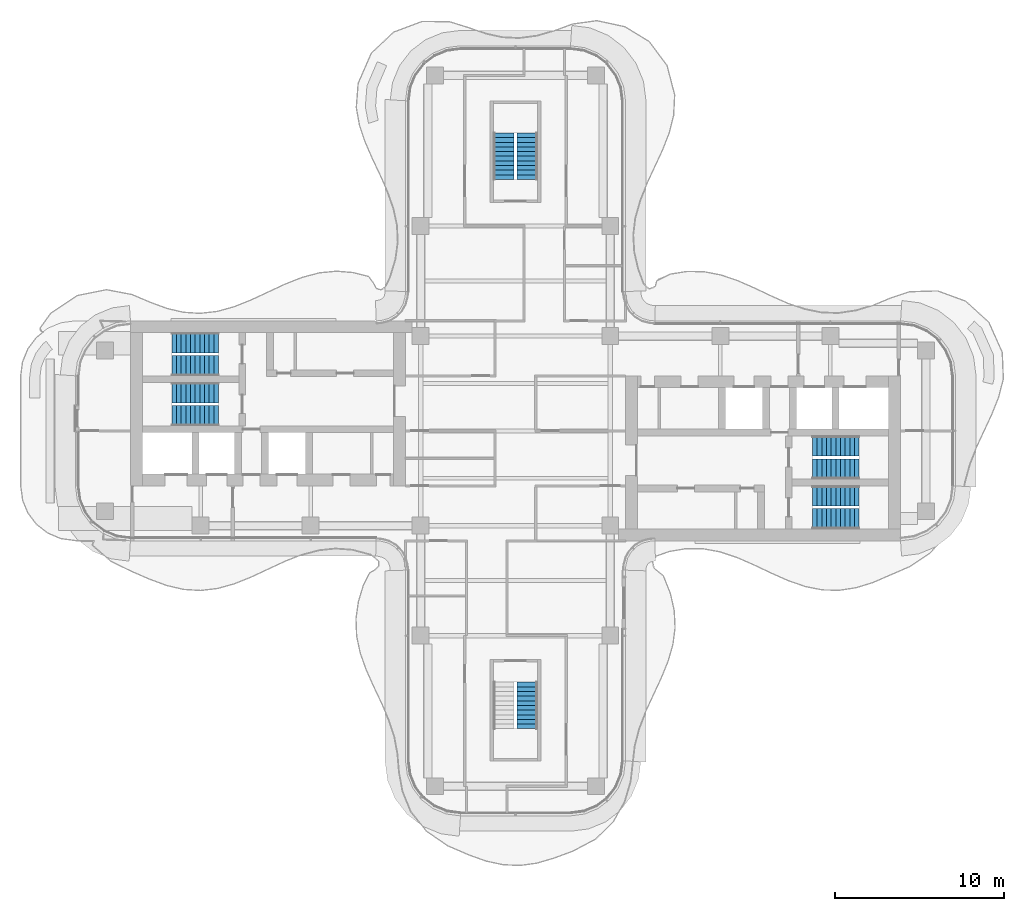
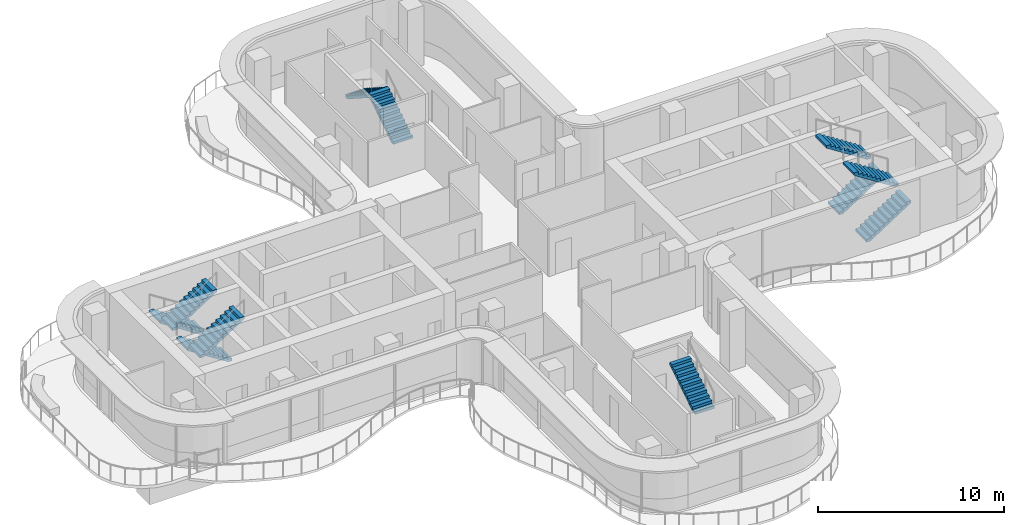
# One storey, part 15 of 17: 11 stair flights, 6 elements without a shape of their own.
"""IFC4 building model written with IfcOpenShell, lengths in metres."""

from ifc_helpers import new_model, si_unit, direction, frame, origin, place, context, subcontext, project, spatial, polyline, outline, extrude, source, transform, mapped, material, type_object, element, aggregate, save


model = new_model("IFC4")

# Units and contexts
model_context = context("Model", 3, precision=1e-05, world=origin(), true_north=direction((0.0, 1.0)))
body_context = subcontext(model_context, "Body", "Model", "MODEL_VIEW")
ifc_project = project(units=[si_unit("LENGTHUNIT", "METRE"), si_unit("AREAUNIT", "SQUARE_METRE"), si_unit("VOLUMEUNIT", "CUBIC_METRE"), si_unit("PLANEANGLEUNIT", "RADIAN"), si_unit("MASSUNIT", "GRAM", prefix="KILO")], contexts=[model_context])

# Site, building, storey
site_placement = place(None, origin())
site = spatial("IfcSite", under=ifc_project, at=site_placement, CompositionType="ELEMENT")
building_placement = place(site_placement, origin())
building = spatial("IfcBuilding", under=site, at=building_placement, Name="Trellis Farm Tower", CompositionType="ELEMENT")
storey_placement = place(building_placement, frame((0.0, 0.0, 279.39990234375)))
storey = spatial("IfcBuildingStorey", under=building, at=storey_placement, Name="L62", CompositionType="ELEMENT", Elevation=279.39990234375)

# Stair, stair flights
ifc_material = material(Name="Concrete C50/60", Category="concrete")
stair_type = type_object("IfcStairType", Name="CORE EXIT STAIR 22 RISERS 177 MM", PredefinedType="HALF_TURN_STAIR", material=ifc_material)
placement = place(storey_placement, origin())
stair_1 = element("IfcStair", 1, at=placement, inside=storey, type_object=stair_type, Name="Exit stair N", PredefinedType="HALF_TURN_STAIR")
stair_flight_type = type_object("IfcStairFlightType", Name="STAIR FLIGHT 11 RISERS 177 MM", PredefinedType="STRAIGHT", material=ifc_material)
shared_shape = source(origin(), body_context, "Body", "SweptSolid", [
    extrude(outline(polyline([(0.0, 0.0), (0.0, 0.17724609375), (0.27490234375, 0.17724609375), (0.27490234375, 0.3544921875), (0.550048828125, 0.3544921875), (0.550048828125, 0.53173828125), (0.824951171875, 0.53173828125), (0.824951171875, 0.708984375), (1.10009765625, 0.708984375), (1.10009765625, 0.886474609375), (1.375, 0.886474609375), (1.375, 1.063720703125), (1.64990234375, 1.063720703125), (1.64990234375, 1.240966796875), (1.925048828125, 1.240966796875), (1.925048828125, 1.418212890625), (2.199951171875, 1.418212890625), (2.199951171875, 1.595458984375), (2.47509765625, 1.595458984375), (2.47509765625, 1.772705078125), (2.75, 1.772705078125), (2.75, 1.949951171875), (2.75, 1.6181640625), (0.23974609375, 0.0), (0.0, 0.0)])), frame((0.0, 0.60009765625, 0.0), z_axis=(0.0, -1.0, 0.0), x_axis=(1.0, 0.0, 0.0)), (0.0, 0.0, 1.0), 1.199951171875),
])
stair_flight_1_placement = place(storey_placement, frame((0.699951171875, 14.85009765625, 0.0), z_axis=(0.0, 0.0, 1.0), x_axis=(0.0, 1.0, 0.0)))
stair_flight_1 = element("IfcStairFlight", 2, at=stair_flight_1_placement, type_object=stair_flight_type, Name="STN flight 1", NumberOfRisers=11, NumberOfTreads=10, PredefinedType="STRAIGHT", RiserHeight=0.177272727, TreadLength=0.275, context=body_context, shape_type="MappedRepresentation", body=[
    mapped(shared_shape, transform((0.0, 0.0, 0.0))),
])
stair_flight_2_placement = place(storey_placement, frame((-0.699951171875, 17.60009765625, 1.9501953125), z_axis=(0.0, 0.0, 1.0), x_axis=(0.0, -1.0, 0.0)))
stair_flight_2 = element("IfcStairFlight", 3, at=stair_flight_2_placement, type_object=stair_flight_type, Name="STN flight 2", NumberOfRisers=11, NumberOfTreads=10, PredefinedType="STRAIGHT", RiserHeight=0.177272727, TreadLength=0.275, context=body_context, shape_type="MappedRepresentation", body=[
    mapped(shared_shape, transform((0.0, 0.0, 0.0))),
])
aggregate(stair_1, [stair_flight_1, stair_flight_2])

# Stair, stair flight
stair_2 = element("IfcStair", 4, at=placement, inside=storey, type_object=stair_type, Name="Exit stair S", PredefinedType="HALF_TURN_STAIR")
stair_flight_3_placement = place(storey_placement, frame((0.699951171875, -17.60009765625, 1.9501953125), z_axis=(0.0, 0.0, 1.0), x_axis=(0.0, 1.0, 0.0)))
stair_flight_3 = element("IfcStairFlight", 5, at=stair_flight_3_placement, type_object=stair_flight_type, Name="STS flight 2", NumberOfRisers=11, NumberOfTreads=10, PredefinedType="STRAIGHT", RiserHeight=0.177272727, TreadLength=0.275, context=body_context, shape_type="MappedRepresentation", body=[
    mapped(shared_shape, transform((0.0, 0.0, 0.0))),
])
aggregate(stair_2, [stair_flight_3])

# Stair, stair flights
stair_3 = element("IfcStair", 6, at=placement, inside=storey, type_object=stair_type, Name="Exit stair E1", PredefinedType="HALF_TURN_STAIR")
stair_flight_4_placement = place(storey_placement, frame((17.550048828125, -5.199951171875, 0.0), z_axis=(0.0, 0.0, 1.0), x_axis=(1.0, 0.0, 0.0)))
stair_flight_4 = element("IfcStairFlight", 7, at=stair_flight_4_placement, type_object=stair_flight_type, Name="STE1 flight 1", NumberOfRisers=11, NumberOfTreads=10, PredefinedType="STRAIGHT", RiserHeight=0.177272727, TreadLength=0.275, context=body_context, shape_type="MappedRepresentation", body=[
    mapped(shared_shape, transform((0.0, 0.0, 0.0))),
])
stair_flight_5_placement = place(storey_placement, frame((20.300048828125, -3.85009765625, 1.9501953125), z_axis=(0.0, 0.0, 1.0), x_axis=(-1.0, 0.0, 0.0)))
stair_flight_5 = element("IfcStairFlight", 8, at=stair_flight_5_placement, type_object=stair_flight_type, Name="STE1 flight 2", NumberOfRisers=11, NumberOfTreads=10, PredefinedType="STRAIGHT", RiserHeight=0.177272727, TreadLength=0.275, context=body_context, shape_type="MappedRepresentation", body=[
    mapped(shared_shape, transform((0.0, 0.0, 0.0))),
])
aggregate(stair_3, [stair_flight_4, stair_flight_5])

stair_4 = element("IfcStair", 9, at=placement, inside=storey, type_object=stair_type, Name="Exit stair E2", PredefinedType="HALF_TURN_STAIR")
stair_flight_6_placement = place(storey_placement, frame((17.550048828125, -2.25, 0.0), z_axis=(0.0, 0.0, 1.0), x_axis=(1.0, 0.0, 0.0)))
stair_flight_6 = element("IfcStairFlight", 10, at=stair_flight_6_placement, type_object=stair_flight_type, Name="STE2 flight 1", NumberOfRisers=11, NumberOfTreads=10, PredefinedType="STRAIGHT", RiserHeight=0.177272727, TreadLength=0.275, context=body_context, shape_type="MappedRepresentation", body=[
    mapped(shared_shape, transform((0.0, 0.0, 0.0))),
])
stair_flight_7_placement = place(storey_placement, frame((20.300048828125, -0.89990234375, 1.9501953125), z_axis=(0.0, 0.0, 1.0), x_axis=(-1.0, 0.0, 0.0)))
stair_flight_7 = element("IfcStairFlight", 11, at=stair_flight_7_placement, type_object=stair_flight_type, Name="STE2 flight 2", NumberOfRisers=11, NumberOfTreads=10, PredefinedType="STRAIGHT", RiserHeight=0.177272727, TreadLength=0.275, context=body_context, shape_type="MappedRepresentation", body=[
    mapped(shared_shape, transform((0.0, 0.0, 0.0))),
])
aggregate(stair_4, [stair_flight_6, stair_flight_7])

stair_5 = element("IfcStair", 12, at=placement, inside=storey, type_object=stair_type, Name="Exit stair W1", PredefinedType="HALF_TURN_STAIR")
stair_flight_8_placement = place(storey_placement, frame((-17.550048828125, 5.199951171875, 0.0), z_axis=(0.0, 0.0, 1.0), x_axis=(-1.0, 0.0, 0.0)))
stair_flight_8 = element("IfcStairFlight", 13, at=stair_flight_8_placement, type_object=stair_flight_type, Name="STW1 flight 1", NumberOfRisers=11, NumberOfTreads=10, PredefinedType="STRAIGHT", RiserHeight=0.177272727, TreadLength=0.275, context=body_context, shape_type="MappedRepresentation", body=[
    mapped(shared_shape, transform((0.0, 0.0, 0.0))),
])
stair_flight_9_placement = place(storey_placement, frame((-20.300048828125, 3.85009765625, 1.9501953125), z_axis=(0.0, 0.0, 1.0), x_axis=(1.0, 0.0, 0.0)))
stair_flight_9 = element("IfcStairFlight", 14, at=stair_flight_9_placement, type_object=stair_flight_type, Name="STW1 flight 2", NumberOfRisers=11, NumberOfTreads=10, PredefinedType="STRAIGHT", RiserHeight=0.177272727, TreadLength=0.275, context=body_context, shape_type="MappedRepresentation", body=[
    mapped(shared_shape, transform((0.0, 0.0, 0.0))),
])
aggregate(stair_5, [stair_flight_8, stair_flight_9])

stair_6 = element("IfcStair", 15, at=placement, inside=storey, type_object=stair_type, Name="Exit stair W2", PredefinedType="HALF_TURN_STAIR")
stair_flight_10_placement = place(storey_placement, frame((-17.550048828125, 2.25, 0.0), z_axis=(0.0, 0.0, 1.0), x_axis=(-1.0, 0.0, 0.0)))
stair_flight_10 = element("IfcStairFlight", 16, at=stair_flight_10_placement, type_object=stair_flight_type, Name="STW2 flight 1", NumberOfRisers=11, NumberOfTreads=10, PredefinedType="STRAIGHT", RiserHeight=0.177272727, TreadLength=0.275, context=body_context, shape_type="MappedRepresentation", body=[
    mapped(shared_shape, transform((0.0, 0.0, 0.0))),
])
stair_flight_11_placement = place(storey_placement, frame((-20.300048828125, 0.89990234375, 1.9501953125), z_axis=(0.0, 0.0, 1.0), x_axis=(1.0, 0.0, 0.0)))
stair_flight_11 = element("IfcStairFlight", 17, at=stair_flight_11_placement, type_object=stair_flight_type, Name="STW2 flight 2", NumberOfRisers=11, NumberOfTreads=10, PredefinedType="STRAIGHT", RiserHeight=0.177272727, TreadLength=0.275, context=body_context, shape_type="MappedRepresentation", body=[
    mapped(shared_shape, transform((0.0, 0.0, 0.0))),
])
aggregate(stair_6, [stair_flight_10, stair_flight_11])

save(model, "model.ifc")
